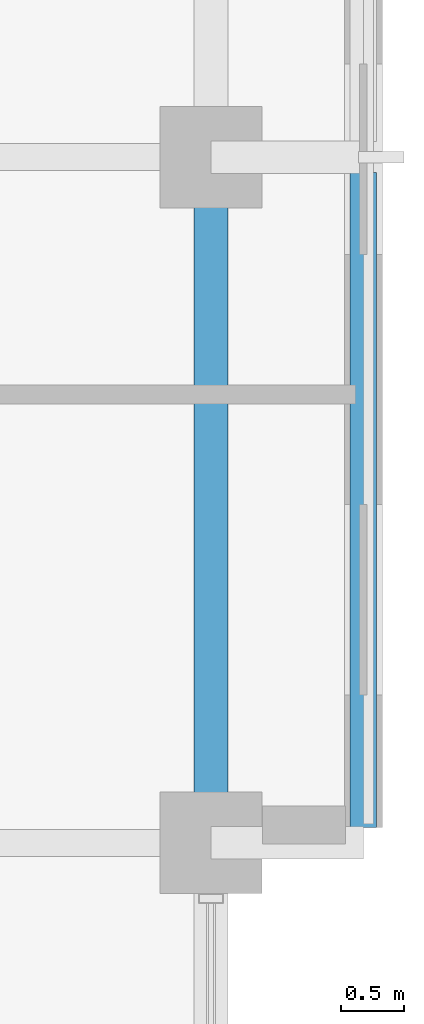
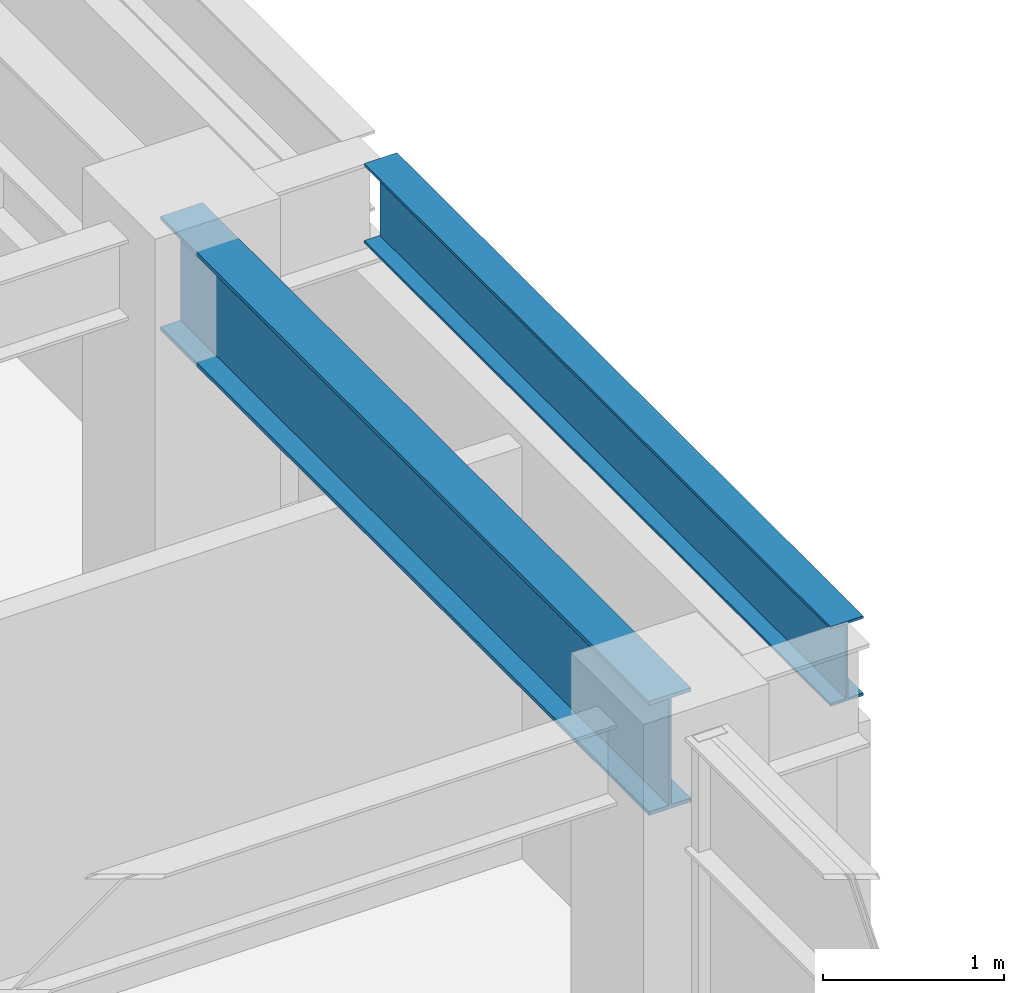
# One storey, part 15 of 32: 2 beams.
"""IFC4 building model written with IfcOpenShell, lengths in metres."""

from ifc_helpers import new_model, si_unit, direction, frame, origin, origin_2d, place, context, subcontext, project, spatial, i_section, extrude, material, material_profile, profile_set, type_object, element, save


model = new_model("IFC4")

# Units and contexts
model_context = context("Model", 3, precision=1e-05, world=origin(), true_north=direction((0.0, 1.0)))
body_context = subcontext(model_context, "Body", "Model", "MODEL_VIEW")
ifc_project = project(units=[si_unit("LENGTHUNIT", "METRE"), si_unit("AREAUNIT", "SQUARE_METRE"), si_unit("VOLUMEUNIT", "CUBIC_METRE"), si_unit("PLANEANGLEUNIT", "RADIAN"), si_unit("MASSUNIT", "GRAM", prefix="KILO")], contexts=[model_context])

# Site, building, storey
site_placement = place(None, origin())
site = spatial("IfcSite", under=ifc_project, at=site_placement, CompositionType="ELEMENT")
building_placement = place(site_placement, origin())
building = spatial("IfcBuilding", under=site, at=building_placement, Name="Surkhivell Harbour Commons", CompositionType="ELEMENT")
storey_placement = place(building_placement, frame((0.0, 0.0, 234.75)))
storey = spatial("IfcBuildingStorey", under=building, at=storey_placement, Name="L61", CompositionType="ELEMENT", Elevation=234.75)

# Beams
ifc_material = material(Name="Steel S355", Category="steel")
ifc_material_profile_1 = material_profile(ifc_material, i_section(OverallWidth=0.2099609375, OverallDepth=0.537109375, WebThickness=0.0107421875, FlangeThickness=0.017333984375, at=origin_2d()), Name="UB533x210x101")
ifc_profile_set_1 = profile_set([ifc_material_profile_1], Name="Steel S355")
beam_type_1 = type_object("IfcBeamType", Name="BM-GRD-533B", PredefinedType="BEAM", material=ifc_profile_set_1)
beam_1_placement = place(storey_placement, frame((22.800048828125, 5.52197265625, 3.301513671875), z_axis=(0.0, 1.0, 0.0), x_axis=(-1.0, 0.0, 0.0)))
element("IfcBeam", 1, at=beam_1_placement, inside=storey, type_object=beam_type_1, Name="L61 Box Rim Spandrel (22.8,5.4)", PredefinedType="BEAM", context=body_context, shape_type="SweptSolid", body=[
    extrude(i_section(OverallWidth=0.2099609375, OverallDepth=0.537109375, WebThickness=0.0107421875, FlangeThickness=0.017333984375, at=origin_2d()), origin(), (0.0, 0.0, 1.0), 5.156005859375),
])
ifc_material_profile_2 = material_profile(ifc_material, i_section(OverallWidth=0.26806640625, OverallDepth=0.77001953125, WebThickness=0.015625, FlangeThickness=0.025390625, at=origin_2d()), Name="UB762x267x197")
ifc_profile_set_2 = profile_set([ifc_material_profile_2], Name="Steel S355")
beam_type_2 = type_object("IfcBeamType", Name="BM-SPN-762", PredefinedType="SPANDREL", material=ifc_profile_set_2)
beam_2_placement = place(storey_placement, frame((21.60009765625, 5.39990234375, 3.18505859375), z_axis=(0.0, 1.0, 0.0), x_axis=(-1.0, 0.0, 0.0)))
element("IfcBeam", 2, at=beam_2_placement, inside=storey, type_object=beam_type_2, Name="L61 Tube Spandrel (21.6,5.4)", PredefinedType="SPANDREL", context=body_context, shape_type="SweptSolid", body=[
    extrude(i_section(OverallWidth=0.26806640625, OverallDepth=0.77001953125, WebThickness=0.015625, FlangeThickness=0.025390625, at=origin_2d()), origin(), (0.0, 0.0, 1.0), 5.400146484375),
])

save(model, "model.ifc")
